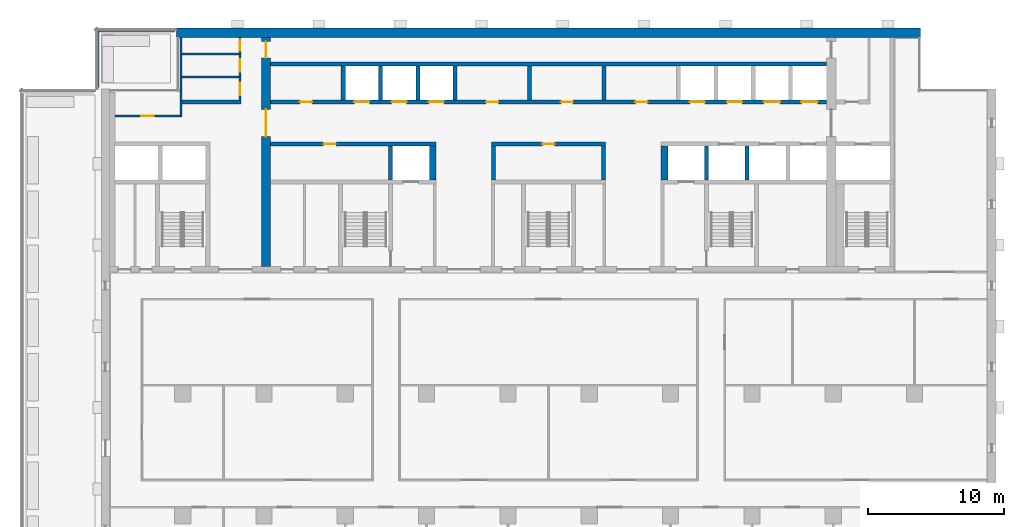
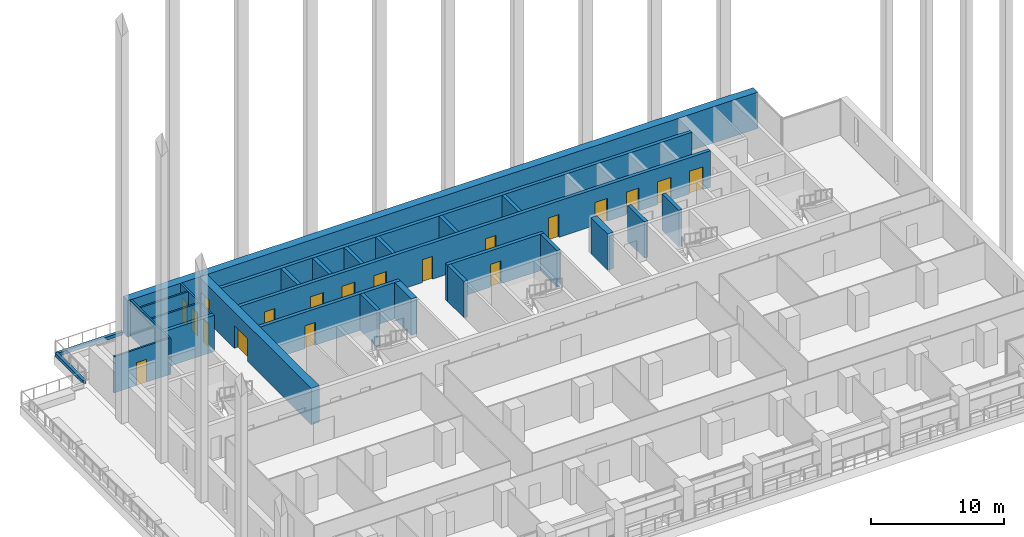
# One storey, part 11 of 19: 27 walls, 19 doors, 19 openings.
"""IFC4 building model written with IfcOpenShell, lengths in metres."""

from ifc_helpers import new_model, si_unit, direction, frame, frame_2d, origin, place, context, subcontext, project, spatial, rectangle, extrude, material, layer, layer_set, type_object, element, fill, save


model = new_model("IFC4")

# Units and contexts
model_context = context("Model", 3, precision=1e-05, world=origin(), true_north=direction((0.0, 1.0)))
body_context = subcontext(model_context, "Body", "Model", "MODEL_VIEW")
ifc_project = project(units=[si_unit("LENGTHUNIT", "METRE"), si_unit("AREAUNIT", "SQUARE_METRE"), si_unit("VOLUMEUNIT", "CUBIC_METRE"), si_unit("PLANEANGLEUNIT", "RADIAN"), si_unit("MASSUNIT", "GRAM", prefix="KILO")], contexts=[model_context])

# Site, building, storey
site_placement = place(None, origin())
site = spatial("IfcSite", under=ifc_project, at=site_placement, CompositionType="ELEMENT")
building_placement = place(site_placement, origin())
building = spatial("IfcBuilding", under=site, at=building_placement, Name="Calvaro Tower", CompositionType="ELEMENT")
storey_placement = place(building_placement, frame((0.0, 0.0, 166.75)))
storey = spatial("IfcBuildingStorey", under=building, at=storey_placement, Name="L41", CompositionType="ELEMENT", Elevation=166.75)

# Walls
ifc_material_1 = material(Name="Blockwork partition", Category="masonry")
ifc_layer_1 = layer(ifc_material_1, 0.14990234375)
ifc_layer_set_1 = layer_set([ifc_layer_1], Name="Blockwork partition")
wall_type_1 = type_object("IfcWallType", Name="Core partition 150 EI 60", PredefinedType="PARTITIONING", material=ifc_layer_set_1)
for number, where, z_axis, x_axis, name in (
    (1, (11.949951171875, 42.39990234375, 0.0), (0.0, 0.0, 1.0), (1.0, 0.0, 0.0), "Core partition"),
    (2, (11.949951171875, 44.10009765625, 0.0), (0.0, 0.0, 1.0), (1.0, 0.0, 0.0), "Core partition"),
):
    element("IfcWall", number, at=place(storey_placement, frame(where, z_axis=z_axis, x_axis=x_axis)), inside=storey, type_object=wall_type_1, Name=name, PredefinedType="PARTITIONING", context=body_context, shape_type="SweptSolid", body=[
        extrude(rectangle(XDim=4.199951171875, YDim=0.14990234375, at=frame_2d((2.10009765625, 0.0))), origin(), (0.0, 0.0, 1.0), 3.35009765625),
    ])

# Wall, openings, doors
ifc_material_2 = material(Name="Blockwork partition", Category="masonry")
ifc_layer_2 = layer(ifc_material_2, 0.14990234375)
ifc_layer_set_2 = layer_set([ifc_layer_2], Name="Blockwork partition")
wall_type_2 = type_object("IfcWallType", Name="Core partition 150 REI 120", PredefinedType="PARTITIONING", material=ifc_layer_set_2)
wall_1_placement = place(storey_placement, frame((16.22509765625, 45.300048828125, 0.0), z_axis=(0.0, 0.0, 1.0), x_axis=(0.0, -1.0, 0.0)))
wall_1 = element("IfcWall", 3, at=wall_1_placement, inside=storey, type_object=wall_type_2, Name="Core partition", PredefinedType="PARTITIONING", context=body_context, shape_type="SweptSolid", body=[
    extrude(rectangle(XDim=4.60009765625, YDim=0.14990234375, at=frame_2d((2.300048828125, 0.0))), origin(), (0.0, 0.0, 1.0), 3.35009765625),
])
opening_1_placement = place(wall_1_placement, frame((3.33740234375, 0.0, 0.0)))
opening_1 = element("IfcOpeningElement", 4, at=opening_1_placement, cuts=wall_1, Name="Opening RD9", PredefinedType="OPENING", context=body_context, shape_type="SweptSolid", body=[
    extrude(rectangle(XDim=0.89990234375, YDim=2.10009765625, at=frame_2d((0.449951171875, 1.050048828125))), frame((0.0, 0.0849609375, 0.0), z_axis=(0.0, -1.0, 0.0), x_axis=(1.0, 0.0, 0.0)), (0.0, 0.0, 1.0), 0.169921875),
])
opening_2_placement = place(wall_1_placement, frame((1.60009765625, 0.0, 0.0)))
opening_2 = element("IfcOpeningElement", 5, at=opening_2_placement, cuts=wall_1, Name="Opening RD9", PredefinedType="OPENING", context=body_context, shape_type="SweptSolid", body=[
    extrude(rectangle(XDim=0.89990234375, YDim=2.10009765625, at=frame_2d((0.449951171875, 1.050048828125))), frame((0.0, 0.0849609375, 0.0), z_axis=(0.0, -1.0, 0.0), x_axis=(1.0, 0.0, 0.0)), (0.0, 0.0, 1.0), 0.169921875),
])
opening_3_placement = place(wall_1_placement, frame((0.16259765625, 0.0, 0.0)))
opening_3 = element("IfcOpeningElement", 6, at=opening_3_placement, cuts=wall_1, Name="Opening RD8C", PredefinedType="OPENING", context=body_context, shape_type="SweptSolid", body=[
    extrude(rectangle(XDim=0.800048828125, YDim=2.10009765625, at=frame_2d((0.39990234375, 1.050048828125))), frame((0.0, 0.0849609375, 0.0), z_axis=(0.0, -1.0, 0.0), x_axis=(1.0, 0.0, 0.0)), (0.0, 0.0, 1.0), 0.169921875),
])
ifc_material_3 = material(Name="Steel door set", Category="steel")
door_type_1 = type_object("IfcDoorType", Name="Room door 800 FD30", OperationType="SINGLE_SWING_LEFT", PredefinedType="DOOR", material=ifc_material_3)
door_1_placement = place(opening_3_placement, origin())
door_1 = element("IfcDoor", 7, at=door_1_placement, inside=storey, type_object=door_type_1, Name="Room door", OperationType="SINGLE_SWING_RIGHT", OverallHeight=2.10009765625, OverallWidth=0.800048828125, PredefinedType="DOOR", context=body_context, shape_type="SweptSolid", body=[
    extrude(rectangle(XDim=0.800048828125, YDim=2.10009765625, at=frame_2d((0.39990234375, 1.050048828125))), frame((0.0, 0.02490234375, 0.0), z_axis=(0.0, -1.0, 0.0), x_axis=(1.0, 0.0, 0.0)), (0.0, 0.0, 1.0), 0.050048828125),
])
fill(opening_3, door_1)
ifc_material_4 = material(Name="Steel door set", Category="steel")
door_type_2 = type_object("IfcDoorType", Name="Room door 900", OperationType="SINGLE_SWING_LEFT", PredefinedType="DOOR", material=ifc_material_4)
door_2_placement = place(opening_1_placement, origin())
door_2 = element("IfcDoor", 8, at=door_2_placement, inside=storey, type_object=door_type_2, Name="Room door", OperationType="SINGLE_SWING_RIGHT", OverallHeight=2.10009765625, OverallWidth=0.89990234375, PredefinedType="DOOR", context=body_context, shape_type="SweptSolid", body=[
    extrude(rectangle(XDim=0.89990234375, YDim=2.10009765625, at=frame_2d((0.449951171875, 1.050048828125))), frame((0.0, 0.02490234375, 0.0), z_axis=(0.0, -1.0, 0.0), x_axis=(1.0, 0.0, 0.0)), (0.0, 0.0, 1.0), 0.050048828125),
])
fill(opening_1, door_2)
door_3_placement = place(opening_2_placement, origin())
door_3 = element("IfcDoor", 9, at=door_3_placement, inside=storey, type_object=door_type_2, Name="Room door", OperationType="SINGLE_SWING_RIGHT", OverallHeight=2.10009765625, OverallWidth=0.89990234375, PredefinedType="DOOR", context=body_context, shape_type="SweptSolid", body=[
    extrude(rectangle(XDim=0.89990234375, YDim=2.10009765625, at=frame_2d((0.449951171875, 1.050048828125))), frame((0.0, 0.02490234375, 0.0), z_axis=(0.0, -1.0, 0.0), x_axis=(1.0, 0.0, 0.0)), (0.0, 0.0, 1.0), 0.050048828125),
])
fill(opening_2, door_3)

# Wall
wall_2_placement = place(storey_placement, frame((11.875, 39.449951171875, 0.0), z_axis=(0.0, 0.0, 1.0), x_axis=(0.0, 1.0, 0.0)))
element("IfcWall", 10, at=wall_2_placement, inside=storey, type_object=wall_type_2, Name="Core partition", PredefinedType="PARTITIONING", context=body_context, shape_type="SweptSolid", body=[
    extrude(rectangle(XDim=5.85009765625, YDim=0.14990234375, at=frame_2d((2.925048828125, 0.0))), origin(), (0.0, 0.0, 1.0), 3.35009765625),
])

# Wall, opening, door
wall_3_placement = place(storey_placement, frame((7.0, 39.52490234375, 0.0), z_axis=(0.0, 0.0, 1.0), x_axis=(1.0, 0.0, 0.0)))
wall_3 = element("IfcWall", 11, at=wall_3_placement, inside=storey, type_object=wall_type_2, Name="Core partition", PredefinedType="PARTITIONING", context=body_context, shape_type="SweptSolid", body=[
    extrude(rectangle(XDim=4.800048828125, YDim=0.14990234375, at=frame_2d((2.39990234375, 0.0))), origin(), (0.0, 0.0, 1.0), 3.35009765625),
])
opening_4_placement = place(wall_3_placement, frame((1.949951171875, 0.0, 0.0)))
opening_4 = element("IfcOpeningElement", 12, at=opening_4_placement, cuts=wall_3, Name="Opening RD9", PredefinedType="OPENING", context=body_context, shape_type="SweptSolid", body=[
    extrude(rectangle(XDim=0.89990234375, YDim=2.10009765625, at=frame_2d((0.449951171875, 1.050048828125))), frame((0.0, 0.0849609375, 0.0), z_axis=(0.0, -1.0, 0.0), x_axis=(1.0, 0.0, 0.0)), (0.0, 0.0, 1.0), 0.169921875),
])
door_4_placement = place(opening_4_placement, origin())
door_4 = element("IfcDoor", 13, at=door_4_placement, inside=storey, type_object=door_type_2, Name="Room door", OperationType="SINGLE_SWING_LEFT", OverallHeight=2.10009765625, OverallWidth=0.89990234375, PredefinedType="DOOR", context=body_context, shape_type="SweptSolid", body=[
    extrude(rectangle(XDim=0.89990234375, YDim=2.10009765625, at=frame_2d((0.449951171875, 1.050048828125))), frame((0.0, 0.02490234375, 0.0), z_axis=(0.0, -1.0, 0.0), x_axis=(1.0, 0.0, 0.0)), (0.0, 0.0, 1.0), 0.050048828125),
])
fill(opening_4, door_4)

# Walls
ifc_material_5 = material(Name="Blockwork partition", Category="masonry")
ifc_layer_3 = layer(ifc_material_5, 0.300048828125)
ifc_layer_set_3 = layer_set([ifc_layer_3], Name="Blockwork partition")
wall_type_3 = type_object("IfcWallType", Name="Core partition 300 EI 60", PredefinedType="PARTITIONING", material=ifc_layer_set_3)
wall_4_placement = place(storey_placement, frame((37.60009765625, 40.699951171875, 0.0), z_axis=(0.0, 0.0, 1.0), x_axis=(0.0, 1.0, 0.0)))
element("IfcWall", 14, at=wall_4_placement, inside=storey, type_object=wall_type_3, Name="Core partition", PredefinedType="PARTITIONING", context=body_context, shape_type="SweptSolid", body=[
    extrude(rectangle(XDim=2.5, YDim=0.300048828125, at=frame_2d((1.25, 0.0))), origin(), (0.0, 0.0, 1.0), 3.35009765625),
])
ifc_material_6 = material(Name="Blockwork partition", Category="masonry")
ifc_layer_4 = layer(ifc_material_6, 0.300048828125)
ifc_layer_set_4 = layer_set([ifc_layer_4], Name="Blockwork partition")
wall_type_4 = type_object("IfcWallType", Name="Core partition 300 REI 120", PredefinedType="PARTITIONING", material=ifc_layer_set_4)
wall_5_placement = place(storey_placement, frame((11.949951171875, 40.550048828125, 0.0), z_axis=(0.0, 0.0, 1.0), x_axis=(1.0, 0.0, 0.0)))
element("IfcWall", 15, at=wall_5_placement, inside=storey, type_object=wall_type_4, Name="Core partition", PredefinedType="PARTITIONING", context=body_context, shape_type="SweptSolid", body=[
    extrude(rectangle(XDim=4.35009765625, YDim=0.300048828125, at=frame_2d((2.175048828125, 0.0))), origin(), (0.0, 0.0, 1.0), 3.35009765625),
])
wall_6_placement = place(storey_placement, frame((43.10009765625, 40.699951171875, 0.0), z_axis=(0.0, 0.0, 1.0), x_axis=(0.0, 1.0, 0.0)))
element("IfcWall", 16, at=wall_6_placement, inside=storey, type_object=wall_type_4, Name="Core partition", PredefinedType="PARTITIONING", context=body_context, shape_type="SweptSolid", body=[
    extrude(rectangle(XDim=2.5, YDim=0.300048828125, at=frame_2d((1.25, 0.0))), origin(), (0.0, 0.0, 1.0), 3.35009765625),
])

# Wall, opening, door
ifc_material_7 = material(Name="Concrete C50/60", Category="concrete")
ifc_layer_5 = layer(ifc_material_7, 0.300048828125)
ifc_layer_set_5 = layer_set([ifc_layer_5], Name="Concrete C50/60")
wall_type_5 = type_object("IfcWallType", Name="Core wall C50/60 300", PredefinedType="SHEAR", material=ifc_layer_set_5)
wall_7_placement = place(storey_placement, frame((30.699951171875, 37.449951171875, 0.0), z_axis=(0.0, 0.0, 1.0), x_axis=(-1.0, 0.0, 0.0)))
wall_7 = element("IfcWall", 17, at=wall_7_placement, inside=storey, type_object=wall_type_5, Name="Core wall, bay", PredefinedType="SHEAR", context=body_context, shape_type="SweptSolid", body=[
    extrude(rectangle(XDim=12.199951171875, YDim=0.300048828125, at=frame_2d((6.10009765625, 0.0))), origin(), (0.0, 0.0, 1.0), 3.35009765625),
])
opening_5_placement = place(wall_7_placement, frame((7.39990234375, 0.0, 0.0)))
opening_5 = element("IfcOpeningElement", 18, at=opening_5_placement, cuts=wall_7, Name="Opening RD9E", PredefinedType="OPENING", context=body_context, shape_type="SweptSolid", body=[
    extrude(rectangle(XDim=0.89990234375, YDim=2.10009765625, at=frame_2d((0.449951171875, 1.050048828125))), frame((0.0, 0.159912109375, 0.0), z_axis=(0.0, -1.0, 0.0), x_axis=(1.0, 0.0, 0.0)), (0.0, 0.0, 1.0), 0.320068359375),
])
ifc_material_8 = material(Name="Steel door set", Category="steel")
door_type_3 = type_object("IfcDoorType", Name="Room door 900 FD60", OperationType="SINGLE_SWING_LEFT", PredefinedType="DOOR", material=ifc_material_8)
door_5_placement = place(opening_5_placement, origin())
door_5 = element("IfcDoor", 19, at=door_5_placement, inside=storey, type_object=door_type_3, Name="Room door", OperationType="SINGLE_SWING_LEFT", OverallHeight=2.10009765625, OverallWidth=0.89990234375, PredefinedType="DOOR", context=body_context, shape_type="SweptSolid", body=[
    extrude(rectangle(XDim=0.89990234375, YDim=2.10009765625, at=frame_2d((0.449951171875, 1.050048828125))), frame((0.0, 0.02490234375, 0.0), z_axis=(0.0, -1.0, 0.0), x_axis=(1.0, 0.0, 0.0)), (0.0, 0.0, 1.0), 0.050048828125),
])
fill(opening_5, door_5)

wall_8_placement = place(storey_placement, frame((43.199951171875, 37.449951171875, 0.0), z_axis=(0.0, 0.0, 1.0), x_axis=(-1.0, 0.0, 0.0)))
wall_8 = element("IfcWall", 20, at=wall_8_placement, inside=storey, type_object=wall_type_5, Name="Core wall, bay", PredefinedType="SHEAR", context=body_context, shape_type="SweptSolid", body=[
    extrude(rectangle(XDim=8.39990234375, YDim=0.300048828125, at=frame_2d((4.199951171875, 0.0))), origin(), (0.0, 0.0, 1.0), 3.35009765625),
])
opening_6_placement = place(wall_8_placement, frame((3.75, 0.0, 0.0)))
opening_6 = element("IfcOpeningElement", 21, at=opening_6_placement, cuts=wall_8, Name="Opening RD9C", PredefinedType="OPENING", context=body_context, shape_type="SweptSolid", body=[
    extrude(rectangle(XDim=0.89990234375, YDim=2.10009765625, at=frame_2d((0.449951171875, 1.050048828125))), frame((0.0, 0.159912109375, 0.0), z_axis=(0.0, -1.0, 0.0), x_axis=(1.0, 0.0, 0.0)), (0.0, 0.0, 1.0), 0.320068359375),
])
ifc_material_9 = material(Name="Steel door set", Category="steel")
door_type_4 = type_object("IfcDoorType", Name="Room door 900 FD30", OperationType="SINGLE_SWING_LEFT", PredefinedType="DOOR", material=ifc_material_9)
door_6_placement = place(opening_6_placement, origin())
door_6 = element("IfcDoor", 22, at=door_6_placement, inside=storey, type_object=door_type_4, Name="Room door", OperationType="SINGLE_SWING_RIGHT", OverallHeight=2.10009765625, OverallWidth=0.89990234375, PredefinedType="DOOR", context=body_context, shape_type="SweptSolid", body=[
    extrude(rectangle(XDim=0.89990234375, YDim=2.10009765625, at=frame_2d((0.449951171875, 1.050048828125))), frame((0.0, 0.02490234375, 0.0), z_axis=(0.0, -1.0, 0.0), x_axis=(1.0, 0.0, 0.0)), (0.0, 0.0, 1.0), 0.050048828125),
])
fill(opening_6, door_6)

# Walls
for number, where, z_axis, x_axis, name in (
    (23, (27.35009765625, 34.800048828125, 0.0), (0.0, 0.0, 1.0), (0.0, 1.0, 0.0), "Core wall, lift shaft"),
    (24, (34.949951171875, 34.800048828125, 0.0), (0.0, 0.0, 1.0), (0.0, 1.0, 0.0), "Core wall, lift shaft"),
    (25, (43.050048828125, 34.800048828125, 0.0), (0.0, 0.0, 1.0), (0.0, 1.0, 0.0), "Core wall, lift shaft"),
    (26, (50.64990234375, 34.800048828125, 0.0), (0.0, 0.0, 1.0), (0.0, 1.0, 0.0), "Core wall, lift shaft"),
):
    element("IfcWall", number, at=place(storey_placement, frame(where, z_axis=z_axis, x_axis=x_axis)), inside=storey, type_object=wall_type_5, Name=name, PredefinedType="SHEAR", context=body_context, shape_type="SweptSolid", body=[
        extrude(rectangle(XDim=2.5, YDim=0.300048828125, at=frame_2d((1.25, 0.0))), origin(), (0.0, 0.0, 1.0), 3.35009765625),
    ])

# Wall, openings, doors
wall_9_placement = place(storey_placement, frame((18.5, 40.550048828125, 0.0), z_axis=(0.0, 0.0, 1.0), x_axis=(1.0, 0.0, 0.0)))
wall_9 = element("IfcWall", 27, at=wall_9_placement, inside=storey, type_object=wall_type_5, Name="Core wall, bay", PredefinedType="SHEAR", context=body_context, shape_type="SweptSolid", body=[
    extrude(rectangle(XDim=41.0, YDim=0.300048828125, at=frame_2d((20.5, 0.0))), origin(), (0.0, 0.0, 1.0), 3.35009765625),
])
opening_7_placement = place(wall_9_placement, frame((2.14990234375, 0.0, 0.0)))
opening_7 = element("IfcOpeningElement", 28, at=opening_7_placement, cuts=wall_9, Name="Opening RD9C", PredefinedType="OPENING", context=body_context, shape_type="SweptSolid", body=[
    extrude(rectangle(XDim=0.89990234375, YDim=2.10009765625, at=frame_2d((0.449951171875, 1.050048828125))), frame((0.0, 0.159912109375, 0.0), z_axis=(0.0, -1.0, 0.0), x_axis=(1.0, 0.0, 0.0)), (0.0, 0.0, 1.0), 0.320068359375),
])
opening_8_placement = place(wall_9_placement, frame((15.89990234375, 0.0, 0.0)))
opening_8 = element("IfcOpeningElement", 29, at=opening_8_placement, cuts=wall_9, Name="Opening RD9E", PredefinedType="OPENING", context=body_context, shape_type="SweptSolid", body=[
    extrude(rectangle(XDim=0.89990234375, YDim=2.10009765625, at=frame_2d((0.449951171875, 1.050048828125))), frame((0.0, 0.159912109375, 0.0), z_axis=(0.0, -1.0, 0.0), x_axis=(1.0, 0.0, 0.0)), (0.0, 0.0, 1.0), 0.320068359375),
])
opening_9_placement = place(wall_9_placement, frame((21.39990234375, 0.0, 0.0)))
opening_9 = element("IfcOpeningElement", 30, at=opening_9_placement, cuts=wall_9, Name="Opening RD9C", PredefinedType="OPENING", context=body_context, shape_type="SweptSolid", body=[
    extrude(rectangle(XDim=0.89990234375, YDim=2.10009765625, at=frame_2d((0.449951171875, 1.050048828125))), frame((0.0, 0.159912109375, 0.0), z_axis=(0.0, -1.0, 0.0), x_axis=(1.0, 0.0, 0.0)), (0.0, 0.0, 1.0), 0.320068359375),
])
opening_10_placement = place(wall_9_placement, frame((26.89990234375, 0.0, 0.0)))
opening_10 = element("IfcOpeningElement", 31, at=opening_10_placement, cuts=wall_9, Name="Opening RD9E", PredefinedType="OPENING", context=body_context, shape_type="SweptSolid", body=[
    extrude(rectangle(XDim=0.89990234375, YDim=2.10009765625, at=frame_2d((0.449951171875, 1.050048828125))), frame((0.0, 0.159912109375, 0.0), z_axis=(0.0, -1.0, 0.0), x_axis=(1.0, 0.0, 0.0)), (0.0, 0.0, 1.0), 0.320068359375),
])
opening_11_placement = place(wall_9_placement, frame((6.175048828125, 0.0, 0.0)))
opening_11 = element("IfcOpeningElement", 32, at=opening_11_placement, cuts=wall_9, Name="Opening HR4", PredefinedType="OPENING", context=body_context, shape_type="SweptSolid", body=[
    extrude(rectangle(XDim=1.10009765625, YDim=2.10009765625, at=frame_2d((0.550048828125, 1.050048828125))), frame((0.0, 0.159912109375, 0.0), z_axis=(0.0, -1.0, 0.0), x_axis=(1.0, 0.0, 0.0)), (0.0, 0.0, 1.0), 0.320068359375),
])
opening_12_placement = place(wall_9_placement, frame((8.925048828125, 0.0, 0.0)))
opening_12 = element("IfcOpeningElement", 33, at=opening_12_placement, cuts=wall_9, Name="Opening HR5", PredefinedType="OPENING", context=body_context, shape_type="SweptSolid", body=[
    extrude(rectangle(XDim=1.10009765625, YDim=2.10009765625, at=frame_2d((0.550048828125, 1.050048828125))), frame((0.0, 0.159912109375, 0.0), z_axis=(0.0, -1.0, 0.0), x_axis=(1.0, 0.0, 0.0)), (0.0, 0.0, 1.0), 0.320068359375),
])
opening_13_placement = place(wall_9_placement, frame((11.675048828125, 0.0, 0.0)))
opening_13 = element("IfcOpeningElement", 34, at=opening_13_placement, cuts=wall_9, Name="Opening HR6", PredefinedType="OPENING", context=body_context, shape_type="SweptSolid", body=[
    extrude(rectangle(XDim=1.10009765625, YDim=2.10009765625, at=frame_2d((0.550048828125, 1.050048828125))), frame((0.0, 0.159912109375, 0.0), z_axis=(0.0, -1.0, 0.0), x_axis=(1.0, 0.0, 0.0)), (0.0, 0.0, 1.0), 0.320068359375),
])
opening_14_placement = place(wall_9_placement, frame((30.925048828125, 0.0, 0.0)))
opening_14 = element("IfcOpeningElement", 35, at=opening_14_placement, cuts=wall_9, Name="Opening HR7", PredefinedType="OPENING", context=body_context, shape_type="SweptSolid", body=[
    extrude(rectangle(XDim=1.10009765625, YDim=2.10009765625, at=frame_2d((0.550048828125, 1.050048828125))), frame((0.0, 0.159912109375, 0.0), z_axis=(0.0, -1.0, 0.0), x_axis=(1.0, 0.0, 0.0)), (0.0, 0.0, 1.0), 0.320068359375),
])
opening_15_placement = place(wall_9_placement, frame((33.675048828125, 0.0, 0.0)))
opening_15 = element("IfcOpeningElement", 36, at=opening_15_placement, cuts=wall_9, Name="Opening HR8", PredefinedType="OPENING", context=body_context, shape_type="SweptSolid", body=[
    extrude(rectangle(XDim=1.10009765625, YDim=2.10009765625, at=frame_2d((0.550048828125, 1.050048828125))), frame((0.0, 0.159912109375, 0.0), z_axis=(0.0, -1.0, 0.0), x_axis=(1.0, 0.0, 0.0)), (0.0, 0.0, 1.0), 0.320068359375),
])
opening_16_placement = place(wall_9_placement, frame((36.375, 0.0, 0.0)))
opening_16 = element("IfcOpeningElement", 37, at=opening_16_placement, cuts=wall_9, Name="Opening SV1", PredefinedType="OPENING", context=body_context, shape_type="SweptSolid", body=[
    extrude(rectangle(XDim=1.199951171875, YDim=2.10009765625, at=frame_2d((0.60009765625, 1.050048828125))), frame((0.0, 0.159912109375, 0.0), z_axis=(0.0, -1.0, 0.0), x_axis=(1.0, 0.0, 0.0)), (0.0, 0.0, 1.0), 0.320068359375),
])
opening_17_placement = place(wall_9_placement, frame((39.14990234375, 0.0, 0.0)))
opening_17 = element("IfcOpeningElement", 38, at=opening_17_placement, cuts=wall_9, Name="Opening SV2", PredefinedType="OPENING", context=body_context, shape_type="SweptSolid", body=[
    extrude(rectangle(XDim=1.199951171875, YDim=2.10009765625, at=frame_2d((0.60009765625, 1.050048828125))), frame((0.0, 0.159912109375, 0.0), z_axis=(0.0, -1.0, 0.0), x_axis=(1.0, 0.0, 0.0)), (0.0, 0.0, 1.0), 0.320068359375),
])
ifc_material_10 = material(Name="Stainless steel", Category="steel")
door_type_5 = type_object("IfcDoorType", Name="Landing door 1100 E 60", OperationType="SLIDING_TO_LEFT", PredefinedType="DOOR", material=ifc_material_10)
door_7_placement = place(opening_11_placement, origin())
door_7 = element("IfcDoor", 39, at=door_7_placement, inside=storey, type_object=door_type_5, Name="Landing door HR4", OperationType="SLIDING_TO_LEFT", OverallHeight=2.10009765625, OverallWidth=1.10009765625, PredefinedType="DOOR", context=body_context, shape_type="SweptSolid", body=[
    extrude(rectangle(XDim=1.10009765625, YDim=2.10009765625, at=frame_2d((0.550048828125, 1.050048828125))), frame((0.0, 0.02490234375, 0.0), z_axis=(0.0, -1.0, 0.0), x_axis=(1.0, 0.0, 0.0)), (0.0, 0.0, 1.0), 0.050048828125),
])
fill(opening_11, door_7)
door_8_placement = place(opening_12_placement, origin())
door_8 = element("IfcDoor", 40, at=door_8_placement, inside=storey, type_object=door_type_5, Name="Landing door HR5", OperationType="SLIDING_TO_LEFT", OverallHeight=2.10009765625, OverallWidth=1.10009765625, PredefinedType="DOOR", context=body_context, shape_type="SweptSolid", body=[
    extrude(rectangle(XDim=1.10009765625, YDim=2.10009765625, at=frame_2d((0.550048828125, 1.050048828125))), frame((0.0, 0.02490234375, 0.0), z_axis=(0.0, -1.0, 0.0), x_axis=(1.0, 0.0, 0.0)), (0.0, 0.0, 1.0), 0.050048828125),
])
fill(opening_12, door_8)
door_9_placement = place(opening_13_placement, origin())
door_9 = element("IfcDoor", 41, at=door_9_placement, inside=storey, type_object=door_type_5, Name="Landing door HR6", OperationType="SLIDING_TO_LEFT", OverallHeight=2.10009765625, OverallWidth=1.10009765625, PredefinedType="DOOR", context=body_context, shape_type="SweptSolid", body=[
    extrude(rectangle(XDim=1.10009765625, YDim=2.10009765625, at=frame_2d((0.550048828125, 1.050048828125))), frame((0.0, 0.02490234375, 0.0), z_axis=(0.0, -1.0, 0.0), x_axis=(1.0, 0.0, 0.0)), (0.0, 0.0, 1.0), 0.050048828125),
])
fill(opening_13, door_9)
door_10_placement = place(opening_14_placement, origin())
door_10 = element("IfcDoor", 42, at=door_10_placement, inside=storey, type_object=door_type_5, Name="Landing door HR7", OperationType="SLIDING_TO_LEFT", OverallHeight=2.10009765625, OverallWidth=1.10009765625, PredefinedType="DOOR", context=body_context, shape_type="SweptSolid", body=[
    extrude(rectangle(XDim=1.10009765625, YDim=2.10009765625, at=frame_2d((0.550048828125, 1.050048828125))), frame((0.0, 0.02490234375, 0.0), z_axis=(0.0, -1.0, 0.0), x_axis=(1.0, 0.0, 0.0)), (0.0, 0.0, 1.0), 0.050048828125),
])
fill(opening_14, door_10)
door_11_placement = place(opening_15_placement, origin())
door_11 = element("IfcDoor", 43, at=door_11_placement, inside=storey, type_object=door_type_5, Name="Landing door HR8", OperationType="SLIDING_TO_LEFT", OverallHeight=2.10009765625, OverallWidth=1.10009765625, PredefinedType="DOOR", context=body_context, shape_type="SweptSolid", body=[
    extrude(rectangle(XDim=1.10009765625, YDim=2.10009765625, at=frame_2d((0.550048828125, 1.050048828125))), frame((0.0, 0.02490234375, 0.0), z_axis=(0.0, -1.0, 0.0), x_axis=(1.0, 0.0, 0.0)), (0.0, 0.0, 1.0), 0.050048828125),
])
fill(opening_15, door_11)
ifc_material_11 = material(Name="Stainless steel", Category="steel")
door_type_6 = type_object("IfcDoorType", Name="Landing door 1200 E 60", OperationType="SLIDING_TO_LEFT", PredefinedType="DOOR", material=ifc_material_11)
door_12_placement = place(opening_16_placement, origin())
door_12 = element("IfcDoor", 44, at=door_12_placement, inside=storey, type_object=door_type_6, Name="Landing door SV1", OperationType="SLIDING_TO_LEFT", OverallHeight=2.10009765625, OverallWidth=1.199951171875, PredefinedType="DOOR", context=body_context, shape_type="SweptSolid", body=[
    extrude(rectangle(XDim=1.199951171875, YDim=2.10009765625, at=frame_2d((0.60009765625, 1.050048828125))), frame((0.0, 0.02490234375, 0.0), z_axis=(0.0, -1.0, 0.0), x_axis=(1.0, 0.0, 0.0)), (0.0, 0.0, 1.0), 0.050048828125),
])
fill(opening_16, door_12)
door_13_placement = place(opening_17_placement, origin())
door_13 = element("IfcDoor", 45, at=door_13_placement, inside=storey, type_object=door_type_6, Name="Landing door SV2", OperationType="SLIDING_TO_LEFT", OverallHeight=2.10009765625, OverallWidth=1.199951171875, PredefinedType="DOOR", context=body_context, shape_type="SweptSolid", body=[
    extrude(rectangle(XDim=1.199951171875, YDim=2.10009765625, at=frame_2d((0.60009765625, 1.050048828125))), frame((0.0, 0.02490234375, 0.0), z_axis=(0.0, -1.0, 0.0), x_axis=(1.0, 0.0, 0.0)), (0.0, 0.0, 1.0), 0.050048828125),
])
fill(opening_17, door_13)
door_14_placement = place(opening_7_placement, origin())
door_14 = element("IfcDoor", 46, at=door_14_placement, inside=storey, type_object=door_type_4, Name="Room door", OperationType="SINGLE_SWING_RIGHT", OverallHeight=2.10009765625, OverallWidth=0.89990234375, PredefinedType="DOOR", context=body_context, shape_type="SweptSolid", body=[
    extrude(rectangle(XDim=0.89990234375, YDim=2.10009765625, at=frame_2d((0.449951171875, 1.050048828125))), frame((0.0, 0.02490234375, 0.0), z_axis=(0.0, -1.0, 0.0), x_axis=(1.0, 0.0, 0.0)), (0.0, 0.0, 1.0), 0.050048828125),
])
fill(opening_7, door_14)
door_15_placement = place(opening_9_placement, origin())
door_15 = element("IfcDoor", 47, at=door_15_placement, inside=storey, type_object=door_type_4, Name="Room door", OperationType="SINGLE_SWING_LEFT", OverallHeight=2.10009765625, OverallWidth=0.89990234375, PredefinedType="DOOR", context=body_context, shape_type="SweptSolid", body=[
    extrude(rectangle(XDim=0.89990234375, YDim=2.10009765625, at=frame_2d((0.449951171875, 1.050048828125))), frame((0.0, 0.02490234375, 0.0), z_axis=(0.0, -1.0, 0.0), x_axis=(1.0, 0.0, 0.0)), (0.0, 0.0, 1.0), 0.050048828125),
])
fill(opening_9, door_15)
door_16_placement = place(opening_8_placement, origin())
door_16 = element("IfcDoor", 48, at=door_16_placement, inside=storey, type_object=door_type_3, Name="Room door", OperationType="SINGLE_SWING_LEFT", OverallHeight=2.10009765625, OverallWidth=0.89990234375, PredefinedType="DOOR", context=body_context, shape_type="SweptSolid", body=[
    extrude(rectangle(XDim=0.89990234375, YDim=2.10009765625, at=frame_2d((0.449951171875, 1.050048828125))), frame((0.0, 0.02490234375, 0.0), z_axis=(0.0, -1.0, 0.0), x_axis=(1.0, 0.0, 0.0)), (0.0, 0.0, 1.0), 0.050048828125),
])
fill(opening_8, door_16)
door_17_placement = place(opening_10_placement, origin())
door_17 = element("IfcDoor", 49, at=door_17_placement, inside=storey, type_object=door_type_3, Name="Room door", OperationType="SINGLE_SWING_LEFT", OverallHeight=2.10009765625, OverallWidth=0.89990234375, PredefinedType="DOOR", context=body_context, shape_type="SweptSolid", body=[
    extrude(rectangle(XDim=0.89990234375, YDim=2.10009765625, at=frame_2d((0.449951171875, 1.050048828125))), frame((0.0, 0.02490234375, 0.0), z_axis=(0.0, -1.0, 0.0), x_axis=(1.0, 0.0, 0.0)), (0.0, 0.0, 1.0), 0.050048828125),
])
fill(opening_10, door_17)

# Walls
wall_10_placement = place(storey_placement, frame((18.5, 43.35009765625, 0.0), z_axis=(0.0, 0.0, 1.0), x_axis=(1.0, 0.0, 0.0)))
element("IfcWall", 50, at=wall_10_placement, inside=storey, type_object=wall_type_5, Name="Core wall, lift shaft", PredefinedType="SHEAR", context=body_context, shape_type="SweptSolid", body=[
    extrude(rectangle(XDim=41.0, YDim=0.300048828125, at=frame_2d((20.5, 0.0))), origin(), (0.0, 0.0, 1.0), 3.35009765625),
])
for number, where, z_axis, x_axis, name in (
    (51, (53.64990234375, 34.800048828125, 0.0), (0.0, 0.0, 1.0), (0.0, 1.0, 0.0), "Core wall, lift shaft"),
    (52, (23.85009765625, 40.699951171875, 0.0), (0.0, 0.0, 1.0), (0.0, 1.0, 0.0), "Core wall, lift shaft"),
    (53, (26.60009765625, 40.699951171875, 0.0), (0.0, 0.0, 1.0), (0.0, 1.0, 0.0), "Core wall, lift shaft"),
    (54, (29.35009765625, 40.699951171875, 0.0), (0.0, 0.0, 1.0), (0.0, 1.0, 0.0), "Core wall, lift shaft"),
    (55, (32.10009765625, 40.699951171875, 0.0), (0.0, 0.0, 1.0), (0.0, 1.0, 0.0), "Core wall, lift shaft"),
):
    element("IfcWall", number, at=place(storey_placement, frame(where, z_axis=z_axis, x_axis=x_axis)), inside=storey, type_object=wall_type_5, Name=name, PredefinedType="SHEAR", context=body_context, shape_type="SweptSolid", body=[
        extrude(rectangle(XDim=2.5, YDim=0.300048828125, at=frame_2d((1.25, 0.0))), origin(), (0.0, 0.0, 1.0), 3.35009765625),
    ])
ifc_material_12 = material(Name="Concrete C50/60", Category="concrete")
ifc_layer_6 = layer(ifc_material_12, 0.5)
ifc_layer_set_6 = layer_set([ifc_layer_6], Name="Concrete C50/60")
wall_type_6 = type_object("IfcWallType", Name="Core wall C50/60 500", PredefinedType="SHEAR", material=ifc_layer_set_6)
for number, where, z_axis, x_axis, name in (
    (56, (30.449951171875, 34.800048828125, 0.0), (0.0, 0.0, 1.0), (0.0, 1.0, 0.0), "Core wall, lift shaft"),
    (57, (47.550048828125, 34.800048828125, 0.0), (0.0, 0.0, 1.0), (0.0, 1.0, 0.0), "Core wall, lift shaft"),
):
    element("IfcWall", number, at=place(storey_placement, frame(where, z_axis=z_axis, x_axis=x_axis)), inside=storey, type_object=wall_type_6, Name=name, PredefinedType="SHEAR", context=body_context, shape_type="SweptSolid", body=[
        extrude(rectangle(XDim=2.5, YDim=0.5, at=frame_2d((1.25, 0.0))), origin(), (0.0, 0.0, 1.0), 3.35009765625),
    ])

# Wall, openings, doors
ifc_material_13 = material(Name="Concrete C50/60", Category="concrete")
ifc_layer_7 = layer(ifc_material_13, 0.699951171875)
ifc_layer_set_7 = layer_set([ifc_layer_7], Name="Concrete C50/60")
wall_type_7 = type_object("IfcWallType", Name="Core wall C50/60 700", PredefinedType="SHEAR", material=ifc_layer_set_7)
wall_11_placement = place(storey_placement, frame((18.14990234375, 28.39990234375, 0.0), z_axis=(0.0, 0.0, 1.0), x_axis=(0.0, 1.0, 0.0)))
wall_11 = element("IfcWall", 58, at=wall_11_placement, inside=storey, type_object=wall_type_7, Name="Core wall, cross shear wall", PredefinedType="SHEAR", context=body_context, shape_type="SweptSolid", body=[
    extrude(rectangle(XDim=16.900146484375, YDim=0.699951171875, at=frame_2d((8.4501953125, 0.0))), origin(), (0.0, 0.0, 1.0), 3.35009765625),
])
opening_18_placement = place(wall_11_placement, frame((9.60009765625, 0.0, 0.0)))
opening_18 = element("IfcOpeningElement", 59, at=opening_18_placement, cuts=wall_11, Name="Opening DD20D", PredefinedType="OPENING", context=body_context, shape_type="SweptSolid", body=[
    extrude(rectangle(XDim=2.0, YDim=2.10009765625, at=frame_2d((1.0, 1.050048828125))), frame((0.0, 0.35986328125, 0.0), z_axis=(0.0, -1.0, 0.0), x_axis=(1.0, 0.0, 0.0)), (0.0, 0.0, 1.0), 0.719970703125),
])
opening_19_placement = place(wall_11_placement, frame((15.39990234375, 0.0, 0.0)))
opening_19 = element("IfcOpeningElement", 60, at=opening_19_placement, cuts=wall_11, Name="Opening FD12C", PredefinedType="OPENING", context=body_context, shape_type="SweptSolid", body=[
    extrude(rectangle(XDim=1.199951171875, YDim=2.10009765625, at=frame_2d((0.60009765625, 1.050048828125))), frame((0.0, 0.35986328125, 0.0), z_axis=(0.0, -1.0, 0.0), x_axis=(1.0, 0.0, 0.0)), (0.0, 0.0, 1.0), 0.719970703125),
])
ifc_material_14 = material(Name="Steel door set", Category="steel")
door_type_7 = type_object("IfcDoorType", Name="Fire door 1200 FD30", OperationType="SINGLE_SWING_LEFT", PredefinedType="DOOR", material=ifc_material_14)
door_18_placement = place(opening_19_placement, origin())
door_18 = element("IfcDoor", 61, at=door_18_placement, inside=storey, type_object=door_type_7, Name="Fire door", OperationType="SINGLE_SWING_LEFT", OverallHeight=2.10009765625, OverallWidth=1.199951171875, PredefinedType="DOOR", context=body_context, shape_type="SweptSolid", body=[
    extrude(rectangle(XDim=1.199951171875, YDim=2.10009765625, at=frame_2d((0.60009765625, 1.050048828125))), frame((0.0, 0.02490234375, 0.0), z_axis=(0.0, -1.0, 0.0), x_axis=(1.0, 0.0, 0.0)), (0.0, 0.0, 1.0), 0.050048828125),
])
fill(opening_19, door_18)
ifc_material_15 = material(Name="Steel door set", Category="steel")
door_type_8 = type_object("IfcDoorType", Name="Lobby double door 2000 FD30S", OperationType="DOUBLE_DOOR_SINGLE_SWING", PredefinedType="DOOR", material=ifc_material_15)
door_19_placement = place(opening_18_placement, origin())
door_19 = element("IfcDoor", 62, at=door_19_placement, inside=storey, type_object=door_type_8, Name="Lobby double door", OperationType="DOUBLE_DOOR_SINGLE_SWING", OverallHeight=2.10009765625, OverallWidth=2.0, PredefinedType="DOOR", context=body_context, shape_type="SweptSolid", body=[
    extrude(rectangle(XDim=2.0, YDim=2.10009765625, at=frame_2d((1.0, 1.050048828125))), frame((0.0, 0.02490234375, 0.0), z_axis=(0.0, -1.0, 0.0), x_axis=(1.0, 0.0, 0.0)), (0.0, 0.0, 1.0), 0.050048828125),
])
fill(opening_18, door_19)

# Walls
ifc_material_16 = material(Name="Concrete C50/60", Category="concrete")
ifc_layer_8 = layer(ifc_material_16, 0.699951171875)
ifc_layer_set_8 = layer_set([ifc_layer_8], Name="Concrete C50/60")
wall_type_8 = type_object("IfcWallType", Name="Rear core wall 700 C50/60", PredefinedType="SHEAR", material=ifc_layer_set_8)
wall_12_placement = place(storey_placement, frame((11.550048828125, 45.64990234375, 0.0), z_axis=(0.0, 0.0, 1.0), x_axis=(1.0, 0.0, 0.0)))
element("IfcWall", 63, at=wall_12_placement, inside=storey, type_object=wall_type_8, Name="North core wall", PredefinedType="SHEAR", context=body_context, shape_type="SweptSolid", body=[
    extrude(rectangle(XDim=54.89990234375, YDim=0.699951171875, at=frame_2d((27.449951171875, 0.0))), origin(), (0.0, 0.0, 1.0), 3.35009765625),
])
ifc_material_17 = material(Name="Concrete C40/50", Category="concrete")
ifc_layer_9 = layer(ifc_material_17, 0.199951171875, Name="Structure")
ifc_material_18 = material(Name="Reconstituted stone coping")
ifc_layer_10 = layer(ifc_material_18, 0.050048828125, Name="Finish")
ifc_layer_set_9 = layer_set([ifc_layer_9, ifc_layer_10], Name="Concrete C40/50")
wall_type_9 = type_object("IfcWallType", Name="Terrace edge kerb 250", PredefinedType="PARAPET", material=ifc_layer_set_9)
wall_13_placement = place(storey_placement, frame((5.699951171875, 41.625, 0.0), z_axis=(0.0, 0.0, 1.0), x_axis=(0.0, 1.0, 0.0)))
element("IfcWall", 64, at=wall_13_placement, inside=storey, type_object=wall_type_9, Name="Terrace edge kerb", PredefinedType="PARAPET", context=body_context, shape_type="SweptSolid", body=[
    extrude(rectangle(XDim=4.25, YDim=0.25, at=frame_2d((2.125, 0.0))), origin(), (0.0, 0.0, 1.0), 0.300048828125),
])
wall_14_placement = place(storey_placement, frame((5.675048828125, 45.85009765625, 0.0), z_axis=(0.0, 0.0, 1.0), x_axis=(1.0, 0.0, 0.0)))
element("IfcWall", 65, at=wall_14_placement, inside=storey, type_object=wall_type_9, Name="Terrace edge kerb", PredefinedType="PARAPET", context=body_context, shape_type="SweptSolid", body=[
    extrude(rectangle(XDim=5.72998046875, YDim=0.25, at=frame_2d((2.864990234375, 0.0))), origin(), (0.0, 0.0, 1.0), 0.300048828125),
])

save(model, "model.ifc")
